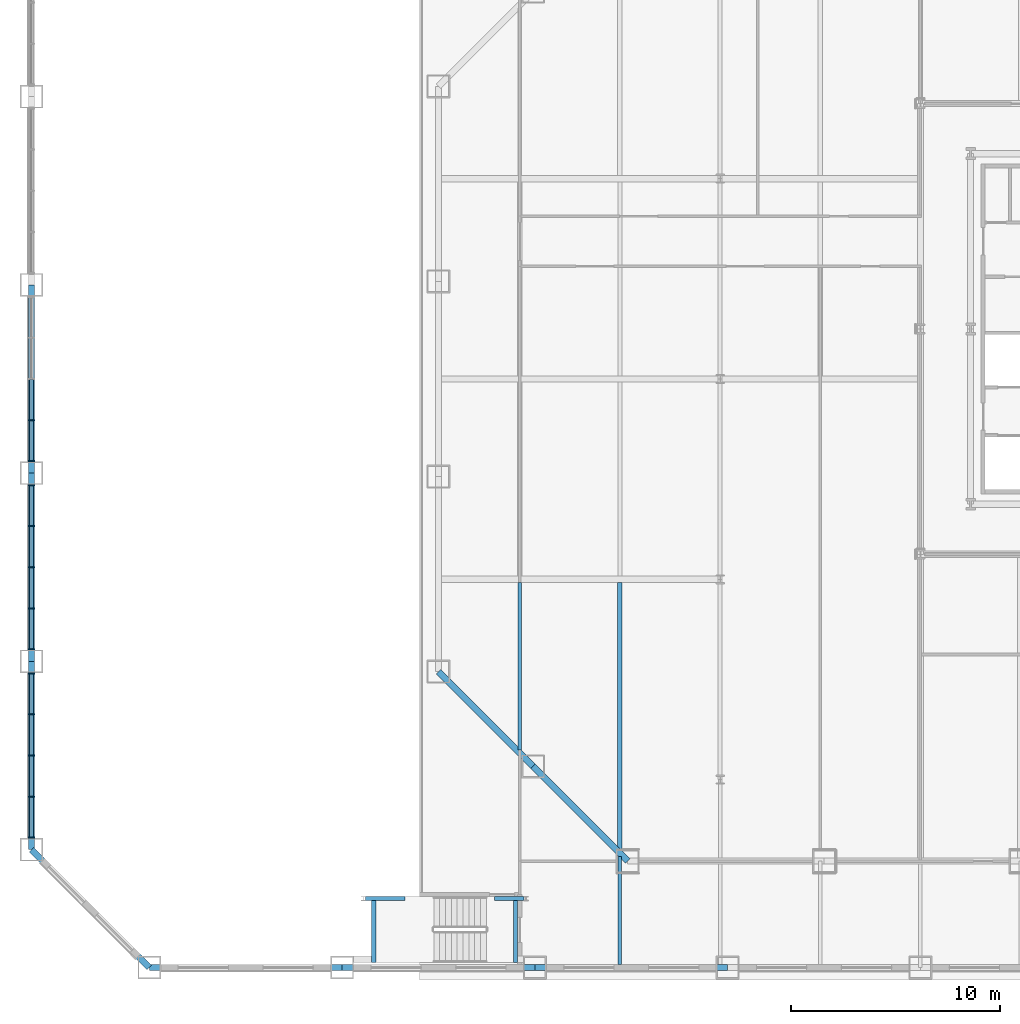
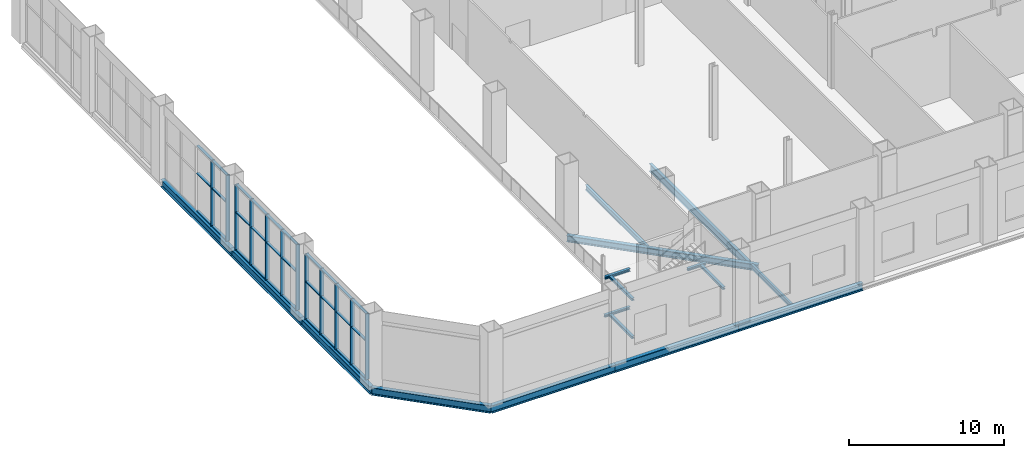
# One storey, part 8 of 31: 42 members, 18 beams, 3 elements without a shape of their own.
"""IFC4 building model written with IfcOpenShell, lengths in metres."""

from ifc_helpers import new_model, si_unit, direction, frame, origin, origin_2d, place, context, subcontext, project, spatial, rectangle, i_section, extrude, material, material_profile, profile_set, type_object, element, aggregate, save


model = new_model("IFC4")

# Units and contexts
model_context = context("Model", 3, precision=1e-05, world=origin(), true_north=direction((0.0, 1.0)))
body_context = subcontext(model_context, "Body", "Model", "MODEL_VIEW")
ifc_project = project(units=[si_unit("LENGTHUNIT", "METRE"), si_unit("AREAUNIT", "SQUARE_METRE"), si_unit("VOLUMEUNIT", "CUBIC_METRE"), si_unit("PLANEANGLEUNIT", "RADIAN"), si_unit("MASSUNIT", "GRAM", prefix="KILO")], contexts=[model_context])

# Site, building, storey
site_placement = place(None, origin())
site = spatial("IfcSite", under=ifc_project, at=site_placement, CompositionType="ELEMENT")
building_placement = place(site_placement, origin())
building = spatial("IfcBuilding", under=site, at=building_placement, Name="Cairn Pilgrim Tower", CompositionType="ELEMENT")
storey_placement = place(building_placement, frame((0.0, 0.0, 15.0)))
storey = spatial("IfcBuildingStorey", under=building, at=storey_placement, Name="L02", CompositionType="ELEMENT", Elevation=15.0)

# Curtain wall, members
ifc_material_1 = material(Name="Bronze anodised aluminium with Tinted laminated low-E glass", Category="aluminium")
curtain_wall_type = type_object("IfcCurtainWallType", Name="HALL CW", PredefinedType="NOTDEFINED", material=ifc_material_1)
curtain_wall_1_placement = place(storey_placement, origin())
curtain_wall_1 = element("IfcCurtainWall", 1, at=curtain_wall_1_placement, inside=storey, type_object=curtain_wall_type, Name="HALL CW L02 W3-W4", PredefinedType="NOTDEFINED")
ifc_material_2 = material(Name="Bronze anodised aluminium", Category="aluminium")
ifc_material_profile_1 = material_profile(ifc_material_2, rectangle(XDim=0.300048828125, YDim=0.06005859375, at=origin_2d()), Name="HALL MULLION 60x300 BRONZE")
ifc_profile_set_1 = profile_set([ifc_material_profile_1], Name="Bronze anodised aluminium")
member_type_1 = type_object("IfcMemberType", Name="HALL MULLION 60x300 BRONZE", PredefinedType="MULLION", material=ifc_profile_set_1)
member_1_placement = place(storey_placement, frame((-47.39990234375, -1.980224609375, 0.0), z_axis=(0.0, 0.0, 1.0), x_axis=(1.0, 0.0, 0.0)))
member_1 = element("IfcMember", 2, at=member_1_placement, type_object=member_type_1, Name="HCW-W3-W4 mullion 4", PredefinedType="MULLION", context=body_context, shape_type="SweptSolid", body=[
    extrude(rectangle(XDim=0.300048828125, YDim=0.06005859375, at=origin_2d()), origin(), (0.0, 0.0, 1.0), 5.199951171875),
])
member_2_placement = place(storey_placement, frame((-47.39990234375, -3.930419921875, 0.0), z_axis=(0.0, 0.0, 1.0), x_axis=(1.0, 0.0, 0.0)))
member_2 = element("IfcMember", 3, at=member_2_placement, type_object=member_type_1, Name="HCW-W3-W4 mullion 5", PredefinedType="MULLION", context=body_context, shape_type="SweptSolid", body=[
    extrude(rectangle(XDim=0.300048828125, YDim=0.06005859375, at=origin_2d()), origin(), (0.0, 0.0, 1.0), 5.199951171875),
])

curtain_wall_2_placement = place(storey_placement, origin())
curtain_wall_2 = element("IfcCurtainWall", 4, at=curtain_wall_2_placement, inside=storey, type_object=curtain_wall_type, Name="HALL CW L02 W4-W5", PredefinedType="NOTDEFINED")
member_3_placement = place(storey_placement, frame((-47.39990234375, -5.09033203125, 0.0), z_axis=(0.0, 0.0, 1.0), x_axis=(1.0, 0.0, 0.0)))
member_3 = element("IfcMember", 5, at=member_3_placement, type_object=member_type_1, Name="HCW-W4-W5 mullion 1", PredefinedType="MULLION", context=body_context, shape_type="SweptSolid", body=[
    extrude(rectangle(XDim=0.300048828125, YDim=0.06005859375, at=origin_2d()), origin(), (0.0, 0.0, 1.0), 5.199951171875),
])
member_4_placement = place(storey_placement, frame((-47.39990234375, -7.04052734375, 0.0), z_axis=(0.0, 0.0, 1.0), x_axis=(1.0, 0.0, 0.0)))
member_4 = element("IfcMember", 6, at=member_4_placement, type_object=member_type_1, Name="HCW-W4-W5 mullion 2", PredefinedType="MULLION", context=body_context, shape_type="SweptSolid", body=[
    extrude(rectangle(XDim=0.300048828125, YDim=0.06005859375, at=origin_2d()), origin(), (0.0, 0.0, 1.0), 5.199951171875),
])
member_5_placement = place(storey_placement, frame((-47.39990234375, -9.0205078125, 0.0), z_axis=(0.0, 0.0, 1.0), x_axis=(1.0, 0.0, 0.0)))
member_5 = element("IfcMember", 7, at=member_5_placement, type_object=member_type_1, Name="HCW-W4-W5 mullion 3", PredefinedType="MULLION", context=body_context, shape_type="SweptSolid", body=[
    extrude(rectangle(XDim=0.300048828125, YDim=0.06005859375, at=origin_2d()), origin(), (0.0, 0.0, 1.0), 5.199951171875),
])
member_6_placement = place(storey_placement, frame((-47.39990234375, -11.000732421875, 0.0), z_axis=(0.0, 0.0, 1.0), x_axis=(1.0, 0.0, 0.0)))
member_6 = element("IfcMember", 8, at=member_6_placement, type_object=member_type_1, Name="HCW-W4-W5 mullion 4", PredefinedType="MULLION", context=body_context, shape_type="SweptSolid", body=[
    extrude(rectangle(XDim=0.300048828125, YDim=0.06005859375, at=origin_2d()), origin(), (0.0, 0.0, 1.0), 5.199951171875),
])
member_7_placement = place(storey_placement, frame((-47.39990234375, -12.950927734375, 0.0), z_axis=(0.0, 0.0, 1.0), x_axis=(1.0, 0.0, 0.0)))
member_7 = element("IfcMember", 9, at=member_7_placement, type_object=member_type_1, Name="HCW-W4-W5 mullion 5", PredefinedType="MULLION", context=body_context, shape_type="SweptSolid", body=[
    extrude(rectangle(XDim=0.300048828125, YDim=0.06005859375, at=origin_2d()), origin(), (0.0, 0.0, 1.0), 5.199951171875),
])

curtain_wall_3_placement = place(storey_placement, origin())
curtain_wall_3 = element("IfcCurtainWall", 10, at=curtain_wall_3_placement, inside=storey, type_object=curtain_wall_type, Name="HALL CW L02 W5-SW1", PredefinedType="NOTDEFINED")
member_8_placement = place(storey_placement, frame((-47.39990234375, -14.11083984375, 0.0), z_axis=(0.0, 0.0, 1.0), x_axis=(1.0, 0.0, 0.0)))
member_8 = element("IfcMember", 11, at=member_8_placement, type_object=member_type_1, Name="HCW-W5-SW1 mullion 1", PredefinedType="MULLION", context=body_context, shape_type="SweptSolid", body=[
    extrude(rectangle(XDim=0.300048828125, YDim=0.06005859375, at=origin_2d()), origin(), (0.0, 0.0, 1.0), 5.199951171875),
])
member_9_placement = place(storey_placement, frame((-47.39990234375, -16.06103515625, 0.0), z_axis=(0.0, 0.0, 1.0), x_axis=(1.0, 0.0, 0.0)))
member_9 = element("IfcMember", 12, at=member_9_placement, type_object=member_type_1, Name="HCW-W5-SW1 mullion 2", PredefinedType="MULLION", context=body_context, shape_type="SweptSolid", body=[
    extrude(rectangle(XDim=0.300048828125, YDim=0.06005859375, at=origin_2d()), origin(), (0.0, 0.0, 1.0), 5.199951171875),
])
member_10_placement = place(storey_placement, frame((-47.39990234375, -18.041259765625, 0.0), z_axis=(0.0, 0.0, 1.0), x_axis=(1.0, 0.0, 0.0)))
member_10 = element("IfcMember", 13, at=member_10_placement, type_object=member_type_1, Name="HCW-W5-SW1 mullion 3", PredefinedType="MULLION", context=body_context, shape_type="SweptSolid", body=[
    extrude(rectangle(XDim=0.300048828125, YDim=0.06005859375, at=origin_2d()), origin(), (0.0, 0.0, 1.0), 5.199951171875),
])
member_11_placement = place(storey_placement, frame((-47.39990234375, -20.021240234375, 0.0), z_axis=(0.0, 0.0, 1.0), x_axis=(1.0, 0.0, 0.0)))
member_11 = element("IfcMember", 14, at=member_11_placement, type_object=member_type_1, Name="HCW-W5-SW1 mullion 4", PredefinedType="MULLION", context=body_context, shape_type="SweptSolid", body=[
    extrude(rectangle(XDim=0.300048828125, YDim=0.06005859375, at=origin_2d()), origin(), (0.0, 0.0, 1.0), 5.199951171875),
])
member_12_placement = place(storey_placement, frame((-47.39990234375, -21.971435546875, 0.0), z_axis=(0.0, 0.0, 1.0), x_axis=(1.0, 0.0, 0.0)))
member_12 = element("IfcMember", 15, at=member_12_placement, type_object=member_type_1, Name="HCW-W5-SW1 mullion 5", PredefinedType="MULLION", context=body_context, shape_type="SweptSolid", body=[
    extrude(rectangle(XDim=0.300048828125, YDim=0.06005859375, at=origin_2d()), origin(), (0.0, 0.0, 1.0), 5.199951171875),
])

# Member
ifc_material_profile_2 = material_profile(ifc_material_2, rectangle(XDim=0.199951171875, YDim=0.06005859375, at=origin_2d()), Name="HALL TRANSOM 60x200 BRONZE")
ifc_profile_set_2 = profile_set([ifc_material_profile_2], Name="Bronze anodised aluminium")
member_type_2 = type_object("IfcMemberType", Name="HALL TRANSOM 60x200 BRONZE", PredefinedType="USERDEFINED", material=ifc_profile_set_2)
member_13_placement = place(storey_placement, frame((-47.39990234375, -0.030029296875, 0.030029296875), z_axis=(0.0, -1.0, 0.0), x_axis=(1.0, 0.0, 0.0)))
member_13 = element("IfcMember", 16, at=member_13_placement, type_object=member_type_2, Name="HCW-W3-W4 transom 3.1", ObjectType="TRANSOM", PredefinedType="USERDEFINED", context=body_context, shape_type="SweptSolid", body=[
    extrude(rectangle(XDim=0.199951171875, YDim=0.06005859375, at=origin_2d()), origin(), (0.0, 0.0, 1.0), 1.920166015625),
])

member_14_placement = place(storey_placement, frame((-47.39990234375, -0.030029296875, 3.0), z_axis=(0.0, -1.0, 0.0), x_axis=(1.0, 0.0, 0.0)))
member_14 = element("IfcMember", 17, at=member_14_placement, type_object=member_type_2, Name="HCW-W3-W4 transom 3.2", ObjectType="TRANSOM", PredefinedType="USERDEFINED", context=body_context, shape_type="SweptSolid", body=[
    extrude(rectangle(XDim=0.199951171875, YDim=0.06005859375, at=origin_2d()), origin(), (0.0, 0.0, 1.0), 1.920166015625),
])

member_15_placement = place(storey_placement, frame((-47.39990234375, -0.030029296875, 5.169921875), z_axis=(0.0, -1.0, 0.0), x_axis=(1.0, 0.0, 0.0)))
member_15 = element("IfcMember", 18, at=member_15_placement, type_object=member_type_2, Name="HCW-W3-W4 transom 3.3", ObjectType="TRANSOM", PredefinedType="USERDEFINED", context=body_context, shape_type="SweptSolid", body=[
    extrude(rectangle(XDim=0.199951171875, YDim=0.06005859375, at=origin_2d()), origin(), (0.0, 0.0, 1.0), 1.920166015625),
])

member_16_placement = place(storey_placement, frame((-47.39990234375, -2.01025390625, 0.030029296875), z_axis=(0.0, -1.0, 0.0), x_axis=(1.0, 0.0, 0.0)))
member_16 = element("IfcMember", 19, at=member_16_placement, type_object=member_type_2, Name="HCW-W3-W4 transom 4.1", ObjectType="TRANSOM", PredefinedType="USERDEFINED", context=body_context, shape_type="SweptSolid", body=[
    extrude(rectangle(XDim=0.199951171875, YDim=0.06005859375, at=origin_2d()), origin(), (0.0, 0.0, 1.0), 1.89013671875),
])

member_17_placement = place(storey_placement, frame((-47.39990234375, -2.01025390625, 3.0), z_axis=(0.0, -1.0, 0.0), x_axis=(1.0, 0.0, 0.0)))
member_17 = element("IfcMember", 20, at=member_17_placement, type_object=member_type_2, Name="HCW-W3-W4 transom 4.2", ObjectType="TRANSOM", PredefinedType="USERDEFINED", context=body_context, shape_type="SweptSolid", body=[
    extrude(rectangle(XDim=0.199951171875, YDim=0.06005859375, at=origin_2d()), origin(), (0.0, 0.0, 1.0), 1.89013671875),
])

member_18_placement = place(storey_placement, frame((-47.39990234375, -2.01025390625, 5.169921875), z_axis=(0.0, -1.0, 0.0), x_axis=(1.0, 0.0, 0.0)))
member_18 = element("IfcMember", 21, at=member_18_placement, type_object=member_type_2, Name="HCW-W3-W4 transom 4.3", ObjectType="TRANSOM", PredefinedType="USERDEFINED", context=body_context, shape_type="SweptSolid", body=[
    extrude(rectangle(XDim=0.199951171875, YDim=0.06005859375, at=origin_2d()), origin(), (0.0, 0.0, 1.0), 1.89013671875),
])

aggregate(curtain_wall_1, [member_1, member_2, member_13, member_14, member_15, member_16, member_17, member_18])

member_19_placement = place(storey_placement, frame((-47.39990234375, -5.120361328125, 0.030029296875), z_axis=(0.0, -1.0, 0.0), x_axis=(1.0, 0.0, 0.0)))
member_19 = element("IfcMember", 22, at=member_19_placement, type_object=member_type_2, Name="HCW-W4-W5 transom 1.1", ObjectType="TRANSOM", PredefinedType="USERDEFINED", context=body_context, shape_type="SweptSolid", body=[
    extrude(rectangle(XDim=0.199951171875, YDim=0.06005859375, at=origin_2d()), origin(), (0.0, 0.0, 1.0), 1.89013671875),
])

member_20_placement = place(storey_placement, frame((-47.39990234375, -5.120361328125, 3.0), z_axis=(0.0, -1.0, 0.0), x_axis=(1.0, 0.0, 0.0)))
member_20 = element("IfcMember", 23, at=member_20_placement, type_object=member_type_2, Name="HCW-W4-W5 transom 1.2", ObjectType="TRANSOM", PredefinedType="USERDEFINED", context=body_context, shape_type="SweptSolid", body=[
    extrude(rectangle(XDim=0.199951171875, YDim=0.06005859375, at=origin_2d()), origin(), (0.0, 0.0, 1.0), 1.89013671875),
])

member_21_placement = place(storey_placement, frame((-47.39990234375, -5.120361328125, 5.169921875), z_axis=(0.0, -1.0, 0.0), x_axis=(1.0, 0.0, 0.0)))
member_21 = element("IfcMember", 24, at=member_21_placement, type_object=member_type_2, Name="HCW-W4-W5 transom 1.3", ObjectType="TRANSOM", PredefinedType="USERDEFINED", context=body_context, shape_type="SweptSolid", body=[
    extrude(rectangle(XDim=0.199951171875, YDim=0.06005859375, at=origin_2d()), origin(), (0.0, 0.0, 1.0), 1.89013671875),
])

member_22_placement = place(storey_placement, frame((-47.39990234375, -7.070556640625, 0.030029296875), z_axis=(0.0, -1.0, 0.0), x_axis=(1.0, 0.0, 0.0)))
member_22 = element("IfcMember", 25, at=member_22_placement, type_object=member_type_2, Name="HCW-W4-W5 transom 2.1", ObjectType="TRANSOM", PredefinedType="USERDEFINED", context=body_context, shape_type="SweptSolid", body=[
    extrude(rectangle(XDim=0.199951171875, YDim=0.06005859375, at=origin_2d()), origin(), (0.0, 0.0, 1.0), 1.919921875),
])

member_23_placement = place(storey_placement, frame((-47.39990234375, -7.070556640625, 3.0), z_axis=(0.0, -1.0, 0.0), x_axis=(1.0, 0.0, 0.0)))
member_23 = element("IfcMember", 26, at=member_23_placement, type_object=member_type_2, Name="HCW-W4-W5 transom 2.2", ObjectType="TRANSOM", PredefinedType="USERDEFINED", context=body_context, shape_type="SweptSolid", body=[
    extrude(rectangle(XDim=0.199951171875, YDim=0.06005859375, at=origin_2d()), origin(), (0.0, 0.0, 1.0), 1.919921875),
])

member_24_placement = place(storey_placement, frame((-47.39990234375, -7.070556640625, 5.169921875), z_axis=(0.0, -1.0, 0.0), x_axis=(1.0, 0.0, 0.0)))
member_24 = element("IfcMember", 27, at=member_24_placement, type_object=member_type_2, Name="HCW-W4-W5 transom 2.3", ObjectType="TRANSOM", PredefinedType="USERDEFINED", context=body_context, shape_type="SweptSolid", body=[
    extrude(rectangle(XDim=0.199951171875, YDim=0.06005859375, at=origin_2d()), origin(), (0.0, 0.0, 1.0), 1.919921875),
])

member_25_placement = place(storey_placement, frame((-47.39990234375, -9.050537109375, 0.030029296875), z_axis=(0.0, -1.0, 0.0), x_axis=(1.0, 0.0, 0.0)))
member_25 = element("IfcMember", 28, at=member_25_placement, type_object=member_type_2, Name="HCW-W4-W5 transom 3.1", ObjectType="TRANSOM", PredefinedType="USERDEFINED", context=body_context, shape_type="SweptSolid", body=[
    extrude(rectangle(XDim=0.199951171875, YDim=0.06005859375, at=origin_2d()), origin(), (0.0, 0.0, 1.0), 1.920166015625),
])

member_26_placement = place(storey_placement, frame((-47.39990234375, -9.050537109375, 3.0), z_axis=(0.0, -1.0, 0.0), x_axis=(1.0, 0.0, 0.0)))
member_26 = element("IfcMember", 29, at=member_26_placement, type_object=member_type_2, Name="HCW-W4-W5 transom 3.2", ObjectType="TRANSOM", PredefinedType="USERDEFINED", context=body_context, shape_type="SweptSolid", body=[
    extrude(rectangle(XDim=0.199951171875, YDim=0.06005859375, at=origin_2d()), origin(), (0.0, 0.0, 1.0), 1.920166015625),
])

member_27_placement = place(storey_placement, frame((-47.39990234375, -9.050537109375, 5.169921875), z_axis=(0.0, -1.0, 0.0), x_axis=(1.0, 0.0, 0.0)))
member_27 = element("IfcMember", 30, at=member_27_placement, type_object=member_type_2, Name="HCW-W4-W5 transom 3.3", ObjectType="TRANSOM", PredefinedType="USERDEFINED", context=body_context, shape_type="SweptSolid", body=[
    extrude(rectangle(XDim=0.199951171875, YDim=0.06005859375, at=origin_2d()), origin(), (0.0, 0.0, 1.0), 1.920166015625),
])

member_28_placement = place(storey_placement, frame((-47.39990234375, -11.03076171875, 0.030029296875), z_axis=(0.0, -1.0, 0.0), x_axis=(1.0, 0.0, 0.0)))
member_28 = element("IfcMember", 31, at=member_28_placement, type_object=member_type_2, Name="HCW-W4-W5 transom 4.1", ObjectType="TRANSOM", PredefinedType="USERDEFINED", context=body_context, shape_type="SweptSolid", body=[
    extrude(rectangle(XDim=0.199951171875, YDim=0.06005859375, at=origin_2d()), origin(), (0.0, 0.0, 1.0), 1.89013671875),
])

member_29_placement = place(storey_placement, frame((-47.39990234375, -11.03076171875, 3.0), z_axis=(0.0, -1.0, 0.0), x_axis=(1.0, 0.0, 0.0)))
member_29 = element("IfcMember", 32, at=member_29_placement, type_object=member_type_2, Name="HCW-W4-W5 transom 4.2", ObjectType="TRANSOM", PredefinedType="USERDEFINED", context=body_context, shape_type="SweptSolid", body=[
    extrude(rectangle(XDim=0.199951171875, YDim=0.06005859375, at=origin_2d()), origin(), (0.0, 0.0, 1.0), 1.89013671875),
])

member_30_placement = place(storey_placement, frame((-47.39990234375, -11.03076171875, 5.169921875), z_axis=(0.0, -1.0, 0.0), x_axis=(1.0, 0.0, 0.0)))
member_30 = element("IfcMember", 33, at=member_30_placement, type_object=member_type_2, Name="HCW-W4-W5 transom 4.3", ObjectType="TRANSOM", PredefinedType="USERDEFINED", context=body_context, shape_type="SweptSolid", body=[
    extrude(rectangle(XDim=0.199951171875, YDim=0.06005859375, at=origin_2d()), origin(), (0.0, 0.0, 1.0), 1.89013671875),
])

aggregate(curtain_wall_2, [member_3, member_4, member_5, member_6, member_7, member_19, member_20, member_21, member_22, member_23, member_24, member_25, member_26, member_27, member_28, member_29, member_30])

member_31_placement = place(storey_placement, frame((-47.39990234375, -14.140869140625, 0.030029296875), z_axis=(0.0, -1.0, 0.0), x_axis=(1.0, 0.0, 0.0)))
member_31 = element("IfcMember", 34, at=member_31_placement, type_object=member_type_2, Name="HCW-W5-SW1 transom 1.1", ObjectType="TRANSOM", PredefinedType="USERDEFINED", context=body_context, shape_type="SweptSolid", body=[
    extrude(rectangle(XDim=0.199951171875, YDim=0.06005859375, at=origin_2d()), origin(), (0.0, 0.0, 1.0), 1.89013671875),
])

member_32_placement = place(storey_placement, frame((-47.39990234375, -14.140869140625, 3.0), z_axis=(0.0, -1.0, 0.0), x_axis=(1.0, 0.0, 0.0)))
member_32 = element("IfcMember", 35, at=member_32_placement, type_object=member_type_2, Name="HCW-W5-SW1 transom 1.2", ObjectType="TRANSOM", PredefinedType="USERDEFINED", context=body_context, shape_type="SweptSolid", body=[
    extrude(rectangle(XDim=0.199951171875, YDim=0.06005859375, at=origin_2d()), origin(), (0.0, 0.0, 1.0), 1.89013671875),
])

member_33_placement = place(storey_placement, frame((-47.39990234375, -14.140869140625, 5.169921875), z_axis=(0.0, -1.0, 0.0), x_axis=(1.0, 0.0, 0.0)))
member_33 = element("IfcMember", 36, at=member_33_placement, type_object=member_type_2, Name="HCW-W5-SW1 transom 1.3", ObjectType="TRANSOM", PredefinedType="USERDEFINED", context=body_context, shape_type="SweptSolid", body=[
    extrude(rectangle(XDim=0.199951171875, YDim=0.06005859375, at=origin_2d()), origin(), (0.0, 0.0, 1.0), 1.89013671875),
])

member_34_placement = place(storey_placement, frame((-47.39990234375, -16.091064453125, 0.030029296875), z_axis=(0.0, -1.0, 0.0), x_axis=(1.0, 0.0, 0.0)))
member_34 = element("IfcMember", 37, at=member_34_placement, type_object=member_type_2, Name="HCW-W5-SW1 transom 2.1", ObjectType="TRANSOM", PredefinedType="USERDEFINED", context=body_context, shape_type="SweptSolid", body=[
    extrude(rectangle(XDim=0.199951171875, YDim=0.06005859375, at=origin_2d()), origin(), (0.0, 0.0, 1.0), 1.920166015625),
])

member_35_placement = place(storey_placement, frame((-47.39990234375, -16.091064453125, 3.0), z_axis=(0.0, -1.0, 0.0), x_axis=(1.0, 0.0, 0.0)))
member_35 = element("IfcMember", 38, at=member_35_placement, type_object=member_type_2, Name="HCW-W5-SW1 transom 2.2", ObjectType="TRANSOM", PredefinedType="USERDEFINED", context=body_context, shape_type="SweptSolid", body=[
    extrude(rectangle(XDim=0.199951171875, YDim=0.06005859375, at=origin_2d()), origin(), (0.0, 0.0, 1.0), 1.920166015625),
])

member_36_placement = place(storey_placement, frame((-47.39990234375, -16.091064453125, 5.169921875), z_axis=(0.0, -1.0, 0.0), x_axis=(1.0, 0.0, 0.0)))
member_36 = element("IfcMember", 39, at=member_36_placement, type_object=member_type_2, Name="HCW-W5-SW1 transom 2.3", ObjectType="TRANSOM", PredefinedType="USERDEFINED", context=body_context, shape_type="SweptSolid", body=[
    extrude(rectangle(XDim=0.199951171875, YDim=0.06005859375, at=origin_2d()), origin(), (0.0, 0.0, 1.0), 1.920166015625),
])

member_37_placement = place(storey_placement, frame((-47.39990234375, -18.0712890625, 0.030029296875), z_axis=(0.0, -1.0, 0.0), x_axis=(1.0, 0.0, 0.0)))
member_37 = element("IfcMember", 40, at=member_37_placement, type_object=member_type_2, Name="HCW-W5-SW1 transom 3.1", ObjectType="TRANSOM", PredefinedType="USERDEFINED", context=body_context, shape_type="SweptSolid", body=[
    extrude(rectangle(XDim=0.199951171875, YDim=0.06005859375, at=origin_2d()), origin(), (0.0, 0.0, 1.0), 1.920166015625),
])

member_38_placement = place(storey_placement, frame((-47.39990234375, -18.0712890625, 3.0), z_axis=(0.0, -1.0, 0.0), x_axis=(1.0, 0.0, 0.0)))
member_38 = element("IfcMember", 41, at=member_38_placement, type_object=member_type_2, Name="HCW-W5-SW1 transom 3.2", ObjectType="TRANSOM", PredefinedType="USERDEFINED", context=body_context, shape_type="SweptSolid", body=[
    extrude(rectangle(XDim=0.199951171875, YDim=0.06005859375, at=origin_2d()), origin(), (0.0, 0.0, 1.0), 1.920166015625),
])

member_39_placement = place(storey_placement, frame((-47.39990234375, -18.0712890625, 5.169921875), z_axis=(0.0, -1.0, 0.0), x_axis=(1.0, 0.0, 0.0)))
member_39 = element("IfcMember", 42, at=member_39_placement, type_object=member_type_2, Name="HCW-W5-SW1 transom 3.3", ObjectType="TRANSOM", PredefinedType="USERDEFINED", context=body_context, shape_type="SweptSolid", body=[
    extrude(rectangle(XDim=0.199951171875, YDim=0.06005859375, at=origin_2d()), origin(), (0.0, 0.0, 1.0), 1.920166015625),
])

member_40_placement = place(storey_placement, frame((-47.39990234375, -20.05126953125, 0.030029296875), z_axis=(0.0, -1.0, 0.0), x_axis=(1.0, 0.0, 0.0)))
member_40 = element("IfcMember", 43, at=member_40_placement, type_object=member_type_2, Name="HCW-W5-SW1 transom 4.1", ObjectType="TRANSOM", PredefinedType="USERDEFINED", context=body_context, shape_type="SweptSolid", body=[
    extrude(rectangle(XDim=0.199951171875, YDim=0.06005859375, at=origin_2d()), origin(), (0.0, 0.0, 1.0), 1.89013671875),
])

member_41_placement = place(storey_placement, frame((-47.39990234375, -20.05126953125, 3.0), z_axis=(0.0, -1.0, 0.0), x_axis=(1.0, 0.0, 0.0)))
member_41 = element("IfcMember", 44, at=member_41_placement, type_object=member_type_2, Name="HCW-W5-SW1 transom 4.2", ObjectType="TRANSOM", PredefinedType="USERDEFINED", context=body_context, shape_type="SweptSolid", body=[
    extrude(rectangle(XDim=0.199951171875, YDim=0.06005859375, at=origin_2d()), origin(), (0.0, 0.0, 1.0), 1.89013671875),
])

member_42_placement = place(storey_placement, frame((-47.39990234375, -20.05126953125, 5.169921875), z_axis=(0.0, -1.0, 0.0), x_axis=(1.0, 0.0, 0.0)))
member_42 = element("IfcMember", 45, at=member_42_placement, type_object=member_type_2, Name="HCW-W5-SW1 transom 4.3", ObjectType="TRANSOM", PredefinedType="USERDEFINED", context=body_context, shape_type="SweptSolid", body=[
    extrude(rectangle(XDim=0.199951171875, YDim=0.06005859375, at=origin_2d()), origin(), (0.0, 0.0, 1.0), 1.89013671875),
])

aggregate(curtain_wall_3, [member_8, member_9, member_10, member_11, member_12, member_31, member_32, member_33, member_34, member_35, member_36, member_37, member_38, member_39, member_40, member_41, member_42])

# Beams
ifc_material_3 = material(Name="Structural steel S355J2", Category="steel")
ifc_material_profile_3 = material_profile(ifc_material_3, i_section(OverallWidth=0.169921875, OverallDepth=0.360107421875, WebThickness=0.008056640625, FlangeThickness=0.0126953125, FilletRadius=0.01806640625, at=origin_2d()), Name="IPE 360")
ifc_profile_set_3 = profile_set([ifc_material_profile_3], Name="Structural steel S355J2")
beam_type_1 = type_object("IfcBeamType", Name="PODIUM BEAM IPE 360", PredefinedType="BEAM", material=ifc_profile_set_3)
beam_1_placement = place(storey_placement, frame((-19.199951171875, -28.048095703125, -0.3798828125), z_axis=(0.0, 1.0, 0.0), x_axis=(-1.0, 0.0, 0.0)))
element("IfcBeam", 46, at=beam_1_placement, inside=storey, type_object=beam_type_1, Name="PODIUM BEAM PB-IPE360", PredefinedType="BEAM", context=body_context, shape_type="SweptSolid", body=[
    extrude(i_section(OverallWidth=0.169921875, OverallDepth=0.360107421875, WebThickness=0.008056640625, FlangeThickness=0.0126953125, FilletRadius=0.01806640625, at=origin_2d()), origin(), (0.0, 0.0, 1.0), 5.1689453125),
])
ifc_material_profile_4 = material_profile(ifc_material_3, i_section(OverallWidth=0.179931640625, OverallDepth=0.39990234375, WebThickness=0.008544921875, FlangeThickness=0.013427734375, FilletRadius=0.02099609375, at=origin_2d()), Name="IPE 400")
ifc_profile_set_4 = profile_set([ifc_material_profile_4], Name="Structural steel S355J2")
beam_type_2 = type_object("IfcBeamType", Name="PODIUM BEAM IPE 400", PredefinedType="BEAM", material=ifc_profile_set_4)
beam_2_placement = place(storey_placement, frame((-24.0, -17.775146484375, -0.39990234375), z_axis=(0.0, 1.0, 0.0), x_axis=(-1.0, 0.0, 0.0)))
element("IfcBeam", 47, at=beam_2_placement, inside=storey, type_object=beam_type_2, Name="PODIUM BEAM PB-IPE400", PredefinedType="BEAM", context=body_context, shape_type="SweptSolid", body=[
    extrude(i_section(OverallWidth=0.179931640625, OverallDepth=0.39990234375, WebThickness=0.008544921875, FlangeThickness=0.013427734375, FilletRadius=0.02099609375, at=origin_2d()), origin(), (0.0, 0.0, 1.0), 8.023193359375),
])
ifc_material_profile_5 = material_profile(ifc_material_3, i_section(OverallWidth=0.219970703125, OverallDepth=0.60009765625, WebThickness=0.011962890625, FlangeThickness=0.01904296875, FilletRadius=0.02392578125, at=origin_2d()), Name="IPE 600")
ifc_profile_set_5 = profile_set([ifc_material_profile_5], Name="Structural steel S355J2")
beam_type_3 = type_object("IfcBeamType", Name="PODIUM BEAM IPE 600", PredefinedType="BEAM", material=ifc_profile_set_5)
beam_3_placement = place(storey_placement, frame((-19.199951171875, -22.5751953125, -0.5), z_axis=(0.0, 1.0, 0.0), x_axis=(-1.0, 0.0, 0.0)))
element("IfcBeam", 48, at=beam_3_placement, inside=storey, type_object=beam_type_3, Name="PODIUM BEAM PB-IPE600", PredefinedType="BEAM", context=body_context, shape_type="SweptSolid", body=[
    extrude(i_section(OverallWidth=0.219970703125, OverallDepth=0.60009765625, WebThickness=0.011962890625, FlangeThickness=0.01904296875, FilletRadius=0.02392578125, at=origin_2d()), origin(), (0.0, 0.0, 1.0), 12.8232421875),
])
ifc_material_profile_6 = material_profile(ifc_material_3, i_section(OverallWidth=0.300048828125, OverallDepth=0.60009765625, WebThickness=0.015380859375, FlangeThickness=0.030029296875, FilletRadius=0.027099609375, at=origin_2d()), Name="HEB 600")
ifc_profile_set_6 = profile_set([ifc_material_profile_6], Name="Structural steel S355J2")
beam_type_4 = type_object("IfcBeamType", Name="PODIUM EDGE GIRDER HE 600 B", PredefinedType="BEAM", material=ifc_profile_set_6)
beam_4_placement = place(storey_placement, frame((-41.75146484375, -28.199951171875, -0.5), z_axis=(1.0, 0.0, 0.0), x_axis=(0.0, 1.0, 0.0)))
element("IfcBeam", 49, at=beam_4_placement, inside=storey, type_object=beam_type_4, Name="PODIUM EDGE GIRDER PE-HE600B", PredefinedType="BEAM", context=body_context, shape_type="SweptSolid", body=[
    extrude(i_section(OverallWidth=0.300048828125, OverallDepth=0.60009765625, WebThickness=0.015380859375, FlangeThickness=0.030029296875, FilletRadius=0.027099609375, at=origin_2d()), origin(), (0.0, 0.0, 1.0), 9.23779296875),
])
beam_5_placement = place(storey_placement, frame((-32.513671875, -28.199951171875, -0.5), z_axis=(1.0, 0.0, 0.0), x_axis=(0.0, 1.0, 0.0)))
element("IfcBeam", 50, at=beam_5_placement, inside=storey, type_object=beam_type_4, Name="PODIUM EDGE GIRDER PE-HE600B", PredefinedType="BEAM", context=body_context, shape_type="SweptSolid", body=[
    extrude(i_section(OverallWidth=0.300048828125, OverallDepth=0.60009765625, WebThickness=0.015380859375, FlangeThickness=0.030029296875, FilletRadius=0.027099609375, at=origin_2d()), origin(), (0.0, 0.0, 1.0), 9.238037109375),
])
beam_6_placement = place(storey_placement, frame((-23.275634765625, -28.199951171875, -0.5), z_axis=(1.0, 0.0, 0.0), x_axis=(0.0, 1.0, 0.0)))
element("IfcBeam", 51, at=beam_6_placement, inside=storey, type_object=beam_type_4, Name="PODIUM EDGE GIRDER PE-HE600B", PredefinedType="BEAM", context=body_context, shape_type="SweptSolid", body=[
    extrude(i_section(OverallWidth=0.300048828125, OverallDepth=0.60009765625, WebThickness=0.015380859375, FlangeThickness=0.030029296875, FilletRadius=0.027099609375, at=origin_2d()), origin(), (0.0, 0.0, 1.0), 9.23779296875),
])
beam_7_placement = place(storey_placement, frame((-47.39990234375, 4.51025390625, -0.5), z_axis=(0.0, -1.0, 0.0), x_axis=(1.0, 0.0, 0.0)))
element("IfcBeam", 52, at=beam_7_placement, inside=storey, type_object=beam_type_4, Name="PODIUM EDGE GIRDER PE-HE600B", PredefinedType="BEAM", context=body_context, shape_type="SweptSolid", body=[
    extrude(i_section(OverallWidth=0.300048828125, OverallDepth=0.60009765625, WebThickness=0.015380859375, FlangeThickness=0.030029296875, FilletRadius=0.027099609375, at=origin_2d()), origin(), (0.0, 0.0, 1.0), 9.0205078125),
])
beam_8_placement = place(storey_placement, frame((-47.39990234375, -4.51025390625, -0.5), z_axis=(0.0, -1.0, 0.0), x_axis=(1.0, 0.0, 0.0)))
element("IfcBeam", 53, at=beam_8_placement, inside=storey, type_object=beam_type_4, Name="PODIUM EDGE GIRDER PE-HE600B", PredefinedType="BEAM", context=body_context, shape_type="SweptSolid", body=[
    extrude(i_section(OverallWidth=0.300048828125, OverallDepth=0.60009765625, WebThickness=0.015380859375, FlangeThickness=0.030029296875, FilletRadius=0.027099609375, at=origin_2d()), origin(), (0.0, 0.0, 1.0), 9.020751953125),
])
beam_9_placement = place(storey_placement, frame((-47.39990234375, -13.531005859375, -0.5), z_axis=(0.0, -1.0, 0.0), x_axis=(1.0, 0.0, 0.0)))
element("IfcBeam", 54, at=beam_9_placement, inside=storey, type_object=beam_type_4, Name="PODIUM EDGE GIRDER PE-HE600B", PredefinedType="BEAM", context=body_context, shape_type="SweptSolid", body=[
    extrude(i_section(OverallWidth=0.300048828125, OverallDepth=0.60009765625, WebThickness=0.015380859375, FlangeThickness=0.030029296875, FilletRadius=0.027099609375, at=origin_2d()), origin(), (0.0, 0.0, 1.0), 9.0205078125),
])
beam_10_placement = place(storey_placement, frame((-47.39990234375, -22.551513671875, -0.5), z_axis=(0.707106781187, -0.707106781187, 0.0), x_axis=(0.707106781187, 0.707106781187, 0.0)))
element("IfcBeam", 55, at=beam_10_placement, inside=storey, type_object=beam_type_4, Name="PODIUM EDGE GIRDER PE-HE600B", PredefinedType="BEAM", context=body_context, shape_type="SweptSolid", body=[
    extrude(i_section(OverallWidth=0.300048828125, OverallDepth=0.60009765625, WebThickness=0.015380859375, FlangeThickness=0.030029296875, FilletRadius=0.027099609375, at=origin_2d()), origin(), (0.0, 0.0, 1.0), 7.988037109375),
])
ifc_material_profile_7 = material_profile(ifc_material_3, i_section(OverallWidth=0.300048828125, OverallDepth=0.5, WebThickness=0.014404296875, FlangeThickness=0.028076171875, FilletRadius=0.027099609375, at=origin_2d()), Name="HEB 500")
ifc_profile_set_7 = profile_set([ifc_material_profile_7], Name="Structural steel S355J2")
beam_type_5 = type_object("IfcBeamType", Name="PODIUM GIRDER HE 500 B", PredefinedType="BEAM", material=ifc_profile_set_7)
for number, where, z_axis, x_axis, name in (
    (56, (-27.89990234375, -14.027099609375, -0.449951171875), (0.707087753759, -0.707125808102, 0.0), (0.707125808102, 0.707087753759, 0.0), "PODIUM GIRDER PG-HE500B"),
    (57, (-23.363525390625, -18.563720703125, -0.449951171875), (0.707106781187, -0.707106781187, 0.0), (0.707106781187, 0.707106781187, 0.0), "PODIUM GIRDER PG-HE500B"),
):
    element("IfcBeam", number, at=place(storey_placement, frame(where, z_axis=z_axis, x_axis=x_axis)), inside=storey, type_object=beam_type_5, Name=name, PredefinedType="BEAM", context=body_context, shape_type="SweptSolid", body=[
        extrude(i_section(OverallWidth=0.300048828125, OverallDepth=0.5, WebThickness=0.014404296875, FlangeThickness=0.028076171875, FilletRadius=0.027099609375, at=origin_2d()), origin(), (0.0, 0.0, 1.0), 6.41552734375),
    ])
ifc_material_profile_8 = material_profile(ifc_material_3, i_section(OverallWidth=0.199951171875, OverallDepth=0.199951171875, WebThickness=0.009033203125, FlangeThickness=0.014892578125, FilletRadius=0.01806640625, at=origin_2d()), Name="HE 200 B")
ifc_profile_set_8 = profile_set([ifc_material_profile_8], Name="Structural steel S355J2")
beam_type_6 = type_object("IfcBeamType", Name="STAIR LANDING BEAM HE 200 B", PredefinedType="BEAM", material=ifc_profile_set_8)
beam_11_placement = place(storey_placement, frame((-31.39990234375, -24.89990234375, 1.199951171875), z_axis=(1.0, 0.0, 0.0), x_axis=(0.0, 1.0, 0.0)))
element("IfcBeam", 58, at=beam_11_placement, inside=storey, type_object=beam_type_6, Name="STAIR LANDING BEAM LD-HE200B", PredefinedType="BEAM", context=body_context, shape_type="SweptSolid", body=[
    extrude(i_section(OverallWidth=0.199951171875, OverallDepth=0.199951171875, WebThickness=0.009033203125, FlangeThickness=0.014892578125, FilletRadius=0.01806640625, at=origin_2d()), origin(), (0.0, 0.0, 1.0), 1.89990234375),
])
beam_12_placement = place(storey_placement, frame((-30.9951171875, -27.949951171875, 1.199951171875), z_axis=(0.0, 1.0, 0.0), x_axis=(-1.0, 0.0, 0.0)))
element("IfcBeam", 59, at=beam_12_placement, inside=storey, type_object=beam_type_6, Name="STAIR LANDING BEAM LD-HE200B", PredefinedType="BEAM", context=body_context, shape_type="SweptSolid", body=[
    extrude(i_section(OverallWidth=0.199951171875, OverallDepth=0.199951171875, WebThickness=0.009033203125, FlangeThickness=0.014892578125, FilletRadius=0.01806640625, at=origin_2d()), origin(), (0.0, 0.0, 1.0), 2.949951171875),
])
beam_13_placement = place(storey_placement, frame((-23.800048828125, -24.89990234375, 2.699951171875), z_axis=(-1.0, 0.0, 0.0), x_axis=(0.0, -1.0, 0.0)))
element("IfcBeam", 60, at=beam_13_placement, inside=storey, type_object=beam_type_6, Name="STAIR LANDING BEAM LD-HE200B", PredefinedType="BEAM", context=body_context, shape_type="SweptSolid", body=[
    extrude(i_section(OverallWidth=0.199951171875, OverallDepth=0.199951171875, WebThickness=0.009033203125, FlangeThickness=0.014892578125, FilletRadius=0.01806640625, at=origin_2d()), origin(), (0.0, 0.0, 1.0), 1.39990234375),
])
beam_14_placement = place(storey_placement, frame((-24.205078125, -27.949951171875, 2.699951171875), z_axis=(0.0, 1.0, 0.0), x_axis=(-1.0, 0.0, 0.0)))
element("IfcBeam", 61, at=beam_14_placement, inside=storey, type_object=beam_type_6, Name="STAIR LANDING BEAM LD-HE200B", PredefinedType="BEAM", context=body_context, shape_type="SweptSolid", body=[
    extrude(i_section(OverallWidth=0.199951171875, OverallDepth=0.199951171875, WebThickness=0.009033203125, FlangeThickness=0.014892578125, FilletRadius=0.01806640625, at=origin_2d()), origin(), (0.0, 0.0, 1.0), 2.949951171875),
])
beam_15_placement = place(storey_placement, frame((-31.39990234375, -24.89990234375, 4.199951171875), z_axis=(1.0, 0.0, 0.0), x_axis=(0.0, 1.0, 0.0)))
element("IfcBeam", 62, at=beam_15_placement, inside=storey, type_object=beam_type_6, Name="STAIR LANDING BEAM LD-HE200B", PredefinedType="BEAM", context=body_context, shape_type="SweptSolid", body=[
    extrude(i_section(OverallWidth=0.199951171875, OverallDepth=0.199951171875, WebThickness=0.009033203125, FlangeThickness=0.014892578125, FilletRadius=0.01806640625, at=origin_2d()), origin(), (0.0, 0.0, 1.0), 1.89990234375),
])
beam_16_placement = place(storey_placement, frame((-30.9951171875, -27.949951171875, 4.199951171875), z_axis=(0.0, 1.0, 0.0), x_axis=(-1.0, 0.0, 0.0)))
element("IfcBeam", 63, at=beam_16_placement, inside=storey, type_object=beam_type_6, Name="STAIR LANDING BEAM LD-HE200B", PredefinedType="BEAM", context=body_context, shape_type="SweptSolid", body=[
    extrude(i_section(OverallWidth=0.199951171875, OverallDepth=0.199951171875, WebThickness=0.009033203125, FlangeThickness=0.014892578125, FilletRadius=0.01806640625, at=origin_2d()), origin(), (0.0, 0.0, 1.0), 2.949951171875),
])

save(model, "model.ifc")
